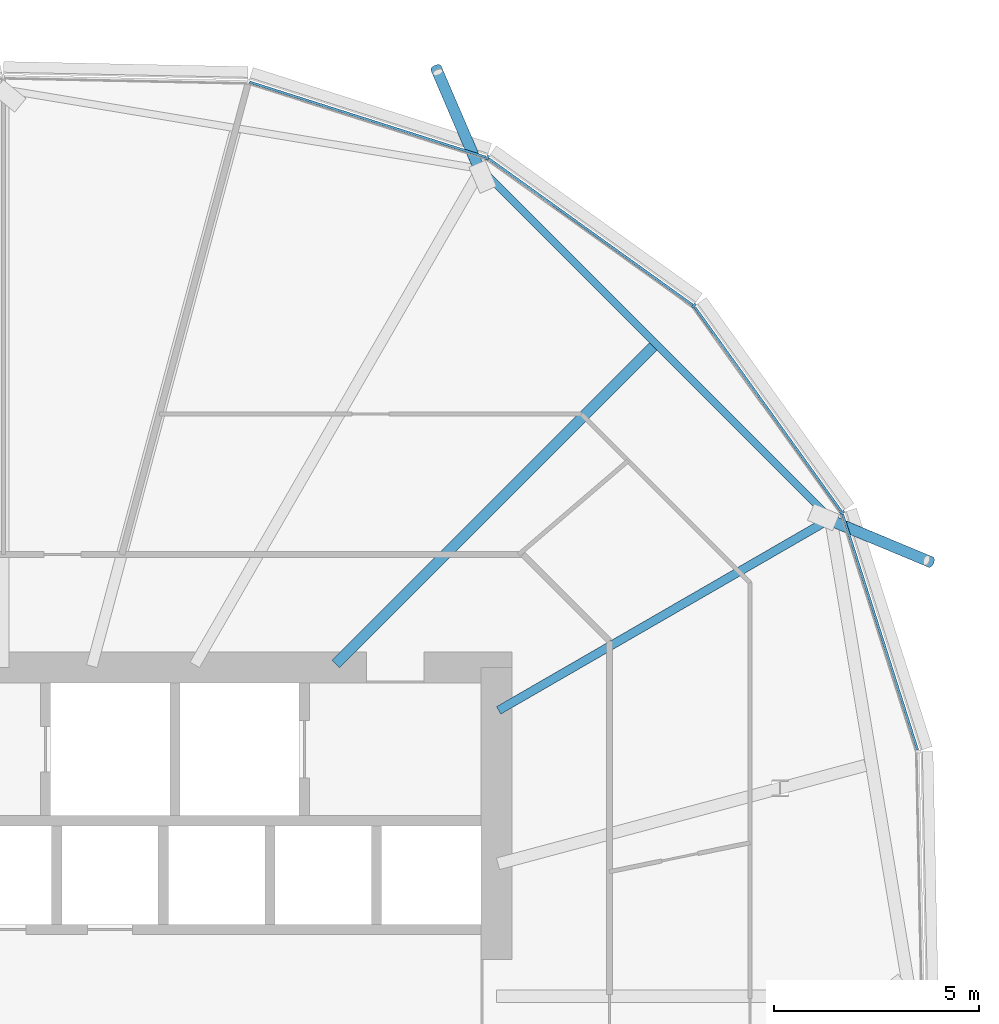
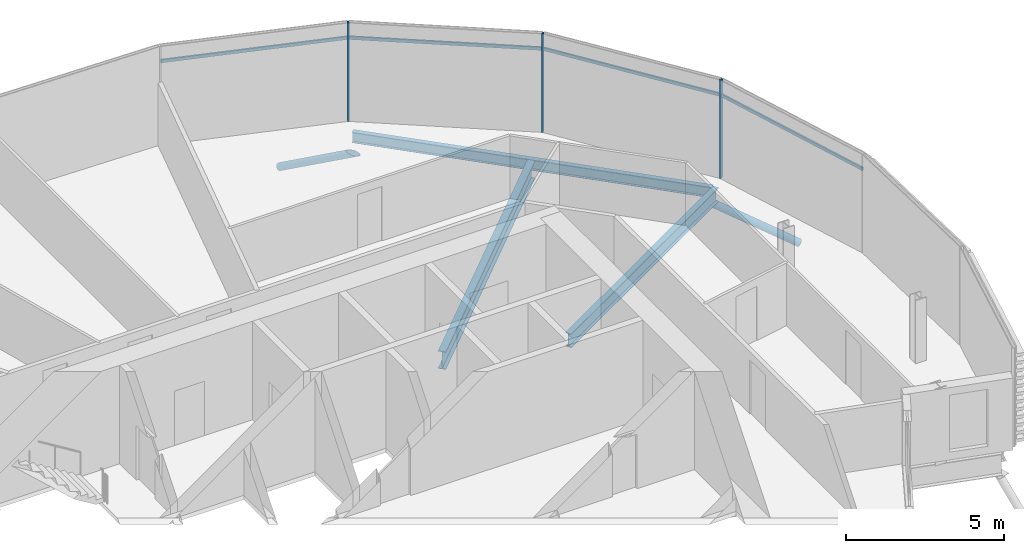
# One storey, part 19 of 40: 9 members, 3 beams, 1 element without a shape of its own.
"""IFC4 building model written with IfcOpenShell, lengths in metres."""

import ifcopenshell
import ifcopenshell.guid

model = None  # the IFC model being written
_history = None  # IfcOwnerHistory: only IFC2X3 demands one
_inside = {}  # id of a spatial element -> (the spatial element, [elements in it])
_under = {}  # id of a project, library or spatial element -> (it, [spatial elements below it])
_declared = {}  # id of a project -> (the project, [libraries it declares])
_typed = {}  # id of a type object -> (the type object, [elements of that type])
_made_of = {}  # id of a material, layer set ... -> (it, [elements and type objects made of it])


def new_model(schema):
    """Start an empty IFC model of exactly this schema.

    Asked for "IFC4X3", IfcOpenShell would pick the latest addendum, in which some entities
    have other attributes; the version numbers below select the first issue.
    IFC2X3 requires an IfcOwnerHistory on every rooted entity: one is made here for all.
    """
    global model, _history
    if schema == "IFC4X3":
        model = ifcopenshell.file(schema_version=(4, 3, 0, 0))
    else:
        model = ifcopenshell.file(schema=schema)
    _inside.clear()
    _under.clear()
    _declared.clear()
    _typed.clear()
    _made_of.clear()
    _history = None
    if model.schema == "IFC2X3":
        org = make("IfcOrganization", Name="unknown")
        user = make(
            "IfcPersonAndOrganization",
            ThePerson=make("IfcPerson", FamilyName="unknown"),
            TheOrganization=org,
        )
        app = make(
            "IfcApplication",
            ApplicationDeveloper=org,
            Version="unknown",
            ApplicationFullName="unknown",
            ApplicationIdentifier="unknown",
        )
        _history = make(
            "IfcOwnerHistory",
            OwningUser=user,
            OwningApplication=app,
            ChangeAction="ADDED",
            CreationDate=0,
        )
    return model


def make(cls, **values):
    """One entity of the class cls with the attributes given. An attribute that is None is left unset."""
    return model.create_entity(
        cls, **{name: value for name, value in values.items() if value is not None}
    )


def rooted(cls, **values):
    """An entity with a GlobalId (a new one), such as an element, a storey or a relation."""
    return make(cls, GlobalId=ifcopenshell.guid.new(), OwnerHistory=_history, **values)


def si_unit(unit_type, name, prefix=None):
    """IfcSIUnit, for example si_unit("LENGTHUNIT", "METRE", prefix="MILLI")."""
    return make("IfcSIUnit", UnitType=unit_type, Prefix=prefix, Name=name)


def assignment(units):
    """IfcUnitAssignment: the units of a project."""
    return None if units is None else make("IfcUnitAssignment", Units=units)


def point(xyz):
    """IfcCartesianPoint."""
    return None if xyz is None else make("IfcCartesianPoint", Coordinates=xyz)


def direction(xyz):
    """IfcDirection."""
    return None if xyz is None else make("IfcDirection", DirectionRatios=xyz)


def frame(location, z_axis=None, x_axis=None):
    """IfcAxis2Placement3D, a coordinate frame: its origin and axes. An axis left out is left unset."""
    return make(
        "IfcAxis2Placement3D",
        Location=point(location),
        Axis=direction(z_axis),
        RefDirection=direction(x_axis),
    )


def frame_2d(location, x_axis=None):
    """IfcAxis2Placement2D, a coordinate frame in the plane: its origin and x axis."""
    return make(
        "IfcAxis2Placement2D", Location=point(location), RefDirection=direction(x_axis)
    )


def origin():
    """The frame at (0, 0, 0) with its axes left unset."""
    return frame((0.0, 0.0, 0.0))


def origin_2d():
    """The frame at (0, 0) in the plane with its x axis left unset."""
    return frame_2d((0.0, 0.0))


def place(relative_to, where):
    """IfcLocalPlacement: puts the frame where relative to a parent placement (None: the world)."""
    return make(
        "IfcLocalPlacement", PlacementRelTo=relative_to, RelativePlacement=where
    )


def context(
    kind, dimensions, precision=None, world=None, true_north=None, identifier=None
):
    """IfcGeometricRepresentationContext, for example the 3D "Model" context."""
    return make(
        "IfcGeometricRepresentationContext",
        ContextIdentifier=identifier,
        ContextType=kind,
        CoordinateSpaceDimension=dimensions,
        Precision=precision,
        WorldCoordinateSystem=world,
        TrueNorth=true_north,
    )


def subcontext(parent, identifier, kind, view, scale=None):
    """IfcGeometricRepresentationSubContext, for example "Body" below "Model"."""
    return make(
        "IfcGeometricRepresentationSubContext",
        ContextIdentifier=identifier,
        ContextType=kind,
        ParentContext=parent,
        TargetScale=scale,
        TargetView=view,
    )


def project(units=None, contexts=None):
    """IfcProject with its units and contexts."""
    return rooted(
        "IfcProject",
        Name="project",
        RepresentationContexts=contexts,
        UnitsInContext=assignment(units),
    )


def spatial(cls, under=None, at=None, **own):
    """A site, building, storey or space (cls), placed at a placement, below another one or the project."""
    s = rooted(cls, ObjectPlacement=at, **own)
    if under is not None:
        _under.setdefault(under.id(), (under, []))[1].append(s)
    return s


def profile(cls, at=None, kind="AREA", **sizes):
    """A parametric profile (cls). Its sizes go by their IFC names, for example OverallWidth=200.0."""
    return make(cls, ProfileType=kind, Position=at, **sizes)


def rectangle(**sizes):
    """IfcRectangleProfileDef."""
    return profile("IfcRectangleProfileDef", **sizes)


def hollow_circle(**sizes):
    """IfcCircleHollowProfileDef."""
    return profile("IfcCircleHollowProfileDef", **sizes)


def i_section(**sizes):
    """IfcIShapeProfileDef."""
    return profile("IfcIShapeProfileDef", **sizes)


def extrude(swept, where, along, depth):
    """IfcExtrudedAreaSolid: the profile swept, set in the frame where, extruded along a direction by depth."""
    return make(
        "IfcExtrudedAreaSolid",
        SweptArea=swept,
        Position=where,
        ExtrudedDirection=direction(along),
        Depth=depth,
    )


def clip(a, b, op="DIFFERENCE"):
    """IfcBooleanClippingResult: the solid a cut by the half space b."""
    return make(
        "IfcBooleanClippingResult", Operator=op, FirstOperand=a, SecondOperand=b
    )


def halfspace(plane, agree):
    """IfcHalfSpaceSolid: all space on one side of the plane z = 0 of the frame plane."""
    return make(
        "IfcHalfSpaceSolid",
        BaseSurface=make("IfcPlane", Position=plane),
        AgreementFlag=agree,
    )


def shape(context_of_items, identifier, shape_type, items):
    """IfcShapeRepresentation: the items that make up one representation, for example the "Body"."""
    return make(
        "IfcShapeRepresentation",
        ContextOfItems=context_of_items,
        RepresentationIdentifier=identifier,
        RepresentationType=shape_type,
        Items=items,
    )


def material(Name=None, Category=None):
    """IfcMaterial."""
    return make("IfcMaterial", Name=Name, Category=Category)


def material_profile(
    of_material, cross_section, Name=None, Category=None, Priority=None
):
    """IfcMaterialProfile: a cross section and its material."""
    return make(
        "IfcMaterialProfile",
        Name=Name,
        Material=of_material,
        Profile=cross_section,
        Priority=Priority,
        Category=Category,
    )


def profile_set(profiles, Name=None, composite=None):
    """IfcMaterialProfileSet."""
    return make(
        "IfcMaterialProfileSet",
        Name=Name,
        MaterialProfiles=profiles,
        CompositeProfile=composite,
    )


def made_of(thing, what):
    """Note that an element or type object is made of a material, layer set ...; save() writes the relation."""
    if what is not None:
        _made_of.setdefault(what.id(), (what, []))[1].append(thing)
    return thing


def type_object(cls, material=None, **own):
    """A type object (cls), such as IfcWallType, which elements share."""
    return made_of(rooted(cls, **own), material)


def element(
    cls,
    number,
    at=None,
    inside=None,
    cuts=None,
    type_object=None,
    material=None,
    context=None,
    identifier="Body",
    shape_type=None,
    held_by="IfcProductDefinitionShape",
    body=None,
    shapes=None,
    **own,
):
    """One element of the class cls, such as IfcWall. Its Tag is "e" and its number.

    at: its placement. inside: the storey or other place that contains it. cuts: it is an
    opening in that element (IfcRelVoidsElement). A single representation is given by context,
    identifier, shape_type and body (its items); several are given by shapes. held_by: the class
    of the entity that holds the representations. save() writes the other relations.
    """
    e = rooted(cls, Tag="e%d" % number, ObjectPlacement=at, **own)
    if body is not None:
        shapes = [shape(context, identifier, shape_type, body)]
    if shapes is not None:
        e.Representation = make(held_by, Representations=shapes)
    if inside is not None:
        _inside.setdefault(inside.id(), (inside, []))[1].append(e)
    if cuts is not None:
        rooted(
            "IfcRelVoidsElement", RelatingBuildingElement=cuts, RelatedOpeningElement=e
        )
    if type_object is not None:
        _typed.setdefault(type_object.id(), (type_object, []))[1].append(e)
    return made_of(e, material)


def aggregate(whole, parts):
    """IfcRelAggregates: a whole, such as a stair, and the parts it consists of."""
    return rooted("IfcRelAggregates", RelatingObject=whole, RelatedObjects=parts)


def save(model, path):
    """Write the relations noted so far, then the file.

    IfcRelAggregates (storeys below a building ...), IfcRelContainedInSpatialStructure (elements
    in a storey), IfcRelDefinesByType, IfcRelAssociatesMaterial and IfcRelDeclares: one each for
    every whole, place, type object, material and project.
    """
    for whole, parts in _under.values():
        aggregate(whole, parts)
    for where, things in _inside.values():
        rooted(
            "IfcRelContainedInSpatialStructure",
            RelatedElements=things,
            RelatingStructure=where,
        )
    for kind, things in _typed.values():
        rooted("IfcRelDefinesByType", RelatedObjects=things, RelatingType=kind)
    for what, things in _made_of.values():
        rooted("IfcRelAssociatesMaterial", RelatedObjects=things, RelatingMaterial=what)
    for by, libraries in _declared.values():
        rooted("IfcRelDeclares", RelatingContext=by, RelatedDefinitions=libraries)
    model.write(path)


model = new_model("IFC4")

# Units and contexts
model_context = context("Model", 3, precision=1e-05, world=origin(), true_north=direction((0.0, 1.0)))
body_context = subcontext(model_context, "Body", "Model", "MODEL_VIEW")
ifc_project = project(units=[si_unit("LENGTHUNIT", "METRE"), si_unit("AREAUNIT", "SQUARE_METRE"), si_unit("VOLUMEUNIT", "CUBIC_METRE"), si_unit("PLANEANGLEUNIT", "RADIAN"), si_unit("MASSUNIT", "GRAM", prefix="KILO")], contexts=[model_context])

# Site, building, storey
site_placement = place(None, origin())
site = spatial("IfcSite", under=ifc_project, at=site_placement, CompositionType="ELEMENT")
building_placement = place(site_placement, origin())
building = spatial("IfcBuilding", under=site, at=building_placement, Name="Rimbun Link Towers", CompositionType="ELEMENT")
storey_placement = place(building_placement, frame((0.0, 0.0, 89.199951171875)))
storey = spatial("IfcBuildingStorey", under=building, at=storey_placement, Name="L21", CompositionType="ELEMENT", Elevation=89.199951171875)

# Curtain wall, members
ifc_material_1 = material(Name="Aluminium 6063-T6 and low-iron glass", Category="aluminium")
curtain_wall_type = type_object("IfcCurtainWallType", Name="CW1-Z2 unitised vision wall (zone 2)", PredefinedType="NOTDEFINED", material=ifc_material_1)
curtain_wall_placement = place(storey_placement, origin())
curtain_wall = element("IfcCurtainWall", 1, at=curtain_wall_placement, inside=storey, type_object=curtain_wall_type, Name="CW1 L21 T2", PredefinedType="NOTDEFINED")
ifc_material_2 = material(Name="Aluminium 6063-T6", Category="aluminium")
ifc_material_profile_1 = material_profile(ifc_material_2, rectangle(XDim=0.1201171875, YDim=0.06005859375, at=origin_2d()), Name="MULLION 60X120")
ifc_profile_set_1 = profile_set([ifc_material_profile_1], Name="Aluminium 6063-T6")
member_type_1 = type_object("IfcMemberType", Name="CW1 mullion 60X120", PredefinedType="MULLION", material=ifc_profile_set_1)
member_1_placement = place(storey_placement, frame((43.530029296875, 20.410888671875, 0.0), z_axis=(0.0, 0.0, 1.0), x_axis=(0.448572130878, 0.893746632665, 0.0)))
member_1 = element("IfcMember", 2, at=member_1_placement, type_object=member_type_1, Name="CW1 mullion", PredefinedType="MULLION", context=body_context, shape_type="SweptSolid", body=[
    extrude(rectangle(XDim=0.1201171875, YDim=0.06005859375, at=origin_2d()), origin(), (0.0, 0.0, 1.0), 3.800048828125),
])
member_2_placement = place(storey_placement, frame((48.554931640625, 16.804931640625, 0.0), z_axis=(0.0, 0.0, 1.0), x_axis=(0.707106781187, 0.707106781187, 0.0)))
member_2 = element("IfcMember", 3, at=member_2_placement, type_object=member_type_1, Name="CW1 mullion", PredefinedType="MULLION", context=body_context, shape_type="SweptSolid", body=[
    extrude(rectangle(XDim=0.1201171875, YDim=0.06005859375, at=origin_2d()), origin(), (0.0, 0.0, 1.0), 3.800048828125),
])
member_3_placement = place(storey_placement, frame((52.160888671875, 11.780029296875, 0.0), z_axis=(0.0, 0.0, 1.0), x_axis=(0.893746632665, 0.448572130878, 0.0)))
member_3 = element("IfcMember", 4, at=member_3_placement, type_object=member_type_1, Name="CW1 mullion", PredefinedType="MULLION", context=body_context, shape_type="SweptSolid", body=[
    extrude(rectangle(XDim=0.1201171875, YDim=0.06005859375, at=origin_2d()), origin(), (0.0, 0.0, 1.0), 3.800048828125),
])
ifc_material_3 = material(Name="Aluminium 6063-T6", Category="aluminium")
ifc_material_profile_2 = material_profile(ifc_material_3, rectangle(XDim=0.06005859375, YDim=0.1201171875, at=origin_2d()), Name="TRANSOM 60X120")
ifc_profile_set_2 = profile_set([ifc_material_profile_2], Name="Aluminium 6063-T6")
member_type_2 = type_object("IfcMemberType", Name="CW1 transom 60X120", PredefinedType="USERDEFINED", material=ifc_profile_set_2)
member_4_placement = place(storey_placement, frame((43.561279296875, 20.38671875, 3.199951171875), z_axis=(0.812475253921, -0.582995679028, 0.0), x_axis=(0.582995679028, 0.812475253921, 0.0)))
member_4 = element("IfcMember", 5, at=member_4_placement, type_object=member_type_2, Name="CW1 transom", ObjectType="TRANSOM", PredefinedType="USERDEFINED", context=body_context, shape_type="SweptSolid", body=[
    extrude(rectangle(XDim=0.06005859375, YDim=0.1201171875, at=origin_2d()), origin(), (0.0, 0.0, 1.0), 6.105712890625),
])
member_5_placement = place(storey_placement, frame((37.745361328125, 22.249267578125, 3.199951171875), z_axis=(0.952968837591, -0.303068300191, 0.0), x_axis=(0.303068300191, 0.952968837591, 0.0)))
member_5 = element("IfcMember", 6, at=member_5_placement, type_object=member_type_2, Name="CW1 transom", ObjectType="TRANSOM", PredefinedType="USERDEFINED", context=body_context, shape_type="SweptSolid", body=[
    extrude(rectangle(XDim=0.06005859375, YDim=0.1201171875, at=origin_2d()), origin(), (0.0, 0.0, 1.0), 6.030517578125),
])
member_6_placement = place(storey_placement, frame((52.171630859375, 11.7421875, 3.199951171875), z_axis=(0.303068300191, -0.952968837591, 0.0), x_axis=(0.952968837591, 0.303068300191, 0.0)))
member_6 = element("IfcMember", 7, at=member_6_placement, type_object=member_type_2, Name="CW1 transom", ObjectType="TRANSOM", PredefinedType="USERDEFINED", context=body_context, shape_type="SweptSolid", body=[
    extrude(rectangle(XDim=0.06005859375, YDim=0.1201171875, at=origin_2d()), origin(), (0.0, 0.0, 1.0), 6.030517578125),
])
member_7_placement = place(storey_placement, frame((48.5771484375, 16.77197265625, 3.199951171875), z_axis=(0.582995679028, -0.812475253921, 0.0), x_axis=(0.812475253921, 0.582995679028, 0.0)))
member_7 = element("IfcMember", 8, at=member_7_placement, type_object=member_type_2, Name="CW1 transom", ObjectType="TRANSOM", PredefinedType="USERDEFINED", context=body_context, shape_type="SweptSolid", body=[
    extrude(rectangle(XDim=0.06005859375, YDim=0.1201171875, at=origin_2d()), origin(), (0.0, 0.0, 1.0), 6.105712890625),
])
aggregate(curtain_wall, [member_1, member_2, member_3, member_4, member_5, member_6, member_7])

# Members
ifc_material_4 = material(Name="Steel S355J2H", Category="steel")
ifc_material_profile_3 = material_profile(ifc_material_4, hollow_circle(Radius=0.136474609375, WallThickness=0.012451171875, at=origin_2d()), Name="CHS 273x12.5")
ifc_profile_set_3 = profile_set([ifc_material_profile_3], Name="Steel S355J2H")
member_type_3 = type_object("IfcMemberType", Name="Floor edge link CHS 273x12.5", PredefinedType="BRACE", material=ifc_profile_set_3)
member_8_placement = place(storey_placement, frame((43.350341796875, 20.09228515625, -1.0390625), z_axis=(-0.337598417549, 0.787447539567, -0.515706971931), x_axis=(-0.919093929687, -0.394038511331, 0.0)))
element("IfcMember", 9, at=member_8_placement, inside=storey, type_object=member_type_3, Name="Floor edge link T2 L21 01", PredefinedType="BRACE", context=body_context, shape_type="Clipping", body=[
    clip(extrude(hollow_circle(Radius=0.136474609375, WallThickness=0.012451171875, at=origin_2d()), frame((0.0, 0.0, -0.472900390625)), (0.0, 0.0, 1.0), 3.646240234375), halfspace(frame((0.0, 0.0, -0.222900390625), z_axis=(0.0, 0.856765031442, -0.515706971931)), False)),
])
member_9_placement = place(storey_placement, frame((51.84228515625, 11.600341796875, -0.807861328125), z_axis=(0.77572077803, -0.323325249911, -0.541957615781), x_axis=(0.384725143643, 0.92303118249, 0.0)))
element("IfcMember", 10, at=member_9_placement, inside=storey, type_object=member_type_3, Name="Floor edge link T2 L21 23", PredefinedType="BRACE", context=body_context, shape_type="Clipping", body=[
    clip(extrude(hollow_circle(Radius=0.136474609375, WallThickness=0.012451171875, at=origin_2d()), frame((0.0, 0.0, -0.44189453125)), (0.0, 0.0, 1.0), 3.63671875), halfspace(frame((0.0, 0.0, -0.208251953125), z_axis=(0.0, 0.840405820242, -0.541957615781)), False)),
])

# Beams
ifc_material_5 = material(Name="Steel S355J2", Category="steel")
ifc_material_profile_4 = material_profile(ifc_material_5, i_section(OverallWidth=0.177978515625, OverallDepth=0.406494140625, WebThickness=0.0078125, FlangeThickness=0.0126953125, at=origin_2d()), Name="UB 406x178x60")
ifc_profile_set_4 = profile_set([ifc_material_profile_4], Name="Steel S355J2")
beam_type_1 = type_object("IfcBeamType", Name="UB 406x178x60", PredefinedType="BEAM", material=ifc_profile_set_4)
beam_1_placement = place(storey_placement, frame((51.80810546875, 11.70263671875, -0.363037109375), z_axis=(-0.707106781187, 0.707106781187, 0.0), x_axis=(-0.707106781187, -0.707106781187, 0.0)))
element("IfcBeam", 11, at=beam_1_placement, inside=storey, type_object=beam_type_1, Name="Edge beam T2 L21 23-01", PredefinedType="BEAM", context=body_context, shape_type="SweptSolid", body=[
    extrude(i_section(OverallWidth=0.177978515625, OverallDepth=0.406494140625, WebThickness=0.0078125, FlangeThickness=0.0126953125, at=origin_2d()), origin(), (0.0, 0.0, 1.0), 11.78662109375),
])
ifc_material_6 = material(Name="Steel S355J2", Category="steel")
ifc_material_profile_5 = material_profile(ifc_material_6, i_section(OverallWidth=0.209228515625, OverallDepth=0.533203125, WebThickness=0.010009765625, FlangeThickness=0.015625, at=origin_2d()), Name="UB 533x210x92")
ifc_profile_set_5 = profile_set([ifc_material_profile_5], Name="Steel S355J2")
beam_type_2 = type_object("IfcBeamType", Name="UB 533x210x92", PredefinedType="BEAM", material=ifc_profile_set_5)
beam_2_placement = place(storey_placement, frame((43.80322265625, 6.958984375, -0.426513671875), z_axis=(0.866027450242, 0.499996455414, 0.0), x_axis=(-0.499996455414, 0.866027450242, 0.0)))
element("IfcBeam", 12, at=beam_2_placement, inside=storey, type_object=beam_type_2, Name="Radial beam T2 L21 23", PredefinedType="BEAM", context=body_context, shape_type="SweptSolid", body=[
    extrude(i_section(OverallWidth=0.209228515625, OverallDepth=0.533203125, WebThickness=0.010009765625, FlangeThickness=0.015625, at=origin_2d()), origin(), (0.0, 0.0, 1.0), 9.33251953125),
])
ifc_material_7 = material(Name="Steel S355J2", Category="steel")
ifc_material_profile_6 = material_profile(ifc_material_7, i_section(OverallWidth=0.253662109375, OverallDepth=0.68359375, WebThickness=0.012451171875, FlangeThickness=0.01904296875, at=origin_2d()), Name="UB 686x254x140")
ifc_profile_set_6 = profile_set([ifc_material_profile_6], Name="Steel S355J2")
beam_type_3 = type_object("IfcBeamType", Name="UB 686x254x140", PredefinedType="BEAM", material=ifc_profile_set_6)
beam_3_placement = place(storey_placement, frame((39.84033203125, 8.09033203125, -0.501708984375), z_axis=(0.707106781187, 0.707106781187, 0.0), x_axis=(-0.707106781187, 0.707106781187, 0.0)))
element("IfcBeam", 13, at=beam_3_placement, inside=storey, type_object=beam_type_3, Name="Radial beam T2 L21 00", PredefinedType="BEAM", context=body_context, shape_type="SweptSolid", body=[
    extrude(i_section(OverallWidth=0.253662109375, OverallDepth=0.68359375, WebThickness=0.012451171875, FlangeThickness=0.01904296875, at=origin_2d()), origin(), (0.0, 0.0, 1.0), 10.927001953125),
])

save(model, "model.ifc")
